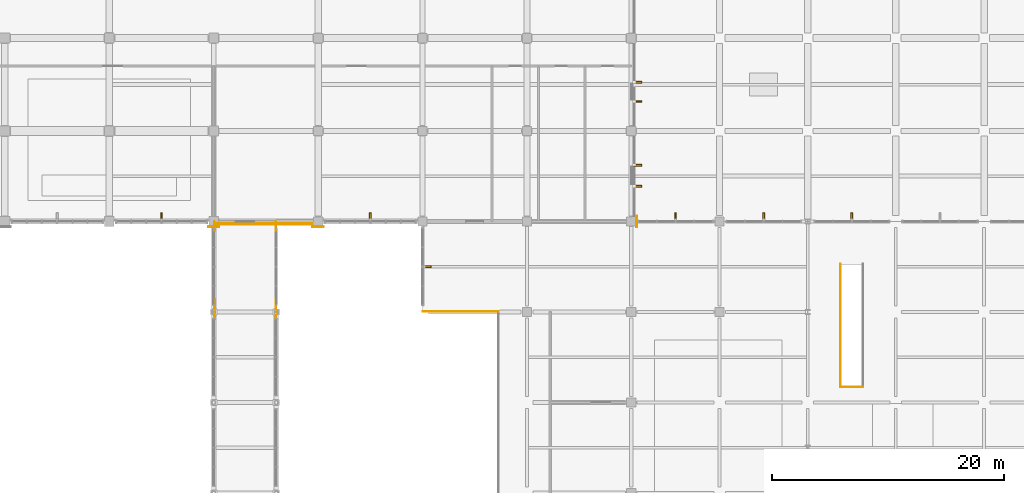
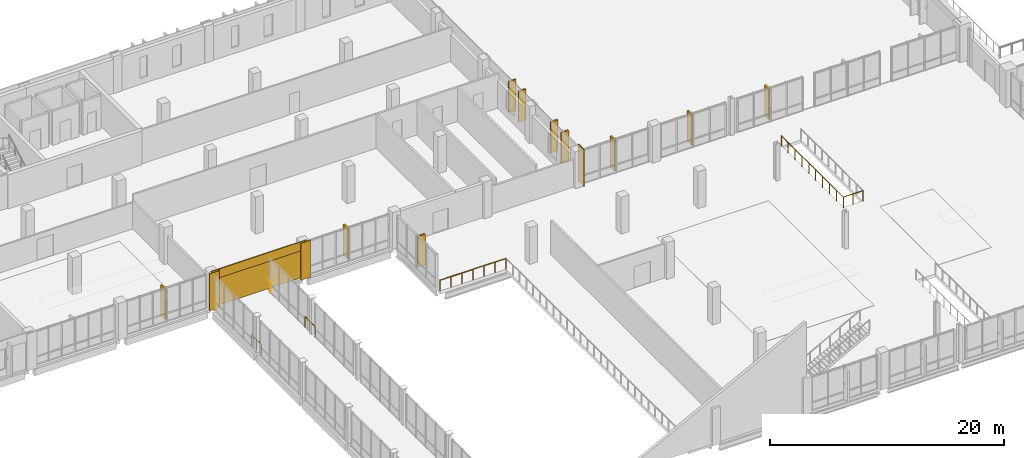
# One storey, part 81 of 85: 10 shading devices, 7 railings, 5 coverings.
"""IFC4 building model written with IfcOpenShell, lengths in metres."""

from ifc_helpers import new_model, si_unit, direction, frame, origin, origin_2d, place, context, subcontext, project, spatial, rectangle, circle, extrude, material, layer, layer_set, type_object, element, save


model = new_model("IFC4")

# Units and contexts
model_context = context("Model", 3, precision=1e-05, world=origin(), true_north=direction((0.0, 1.0)))
body_context = subcontext(model_context, "Body", "Model", "MODEL_VIEW")
ifc_project = project(units=[si_unit("LENGTHUNIT", "METRE"), si_unit("AREAUNIT", "SQUARE_METRE"), si_unit("VOLUMEUNIT", "CUBIC_METRE"), si_unit("PLANEANGLEUNIT", "RADIAN"), si_unit("MASSUNIT", "GRAM", prefix="KILO")], contexts=[model_context])

# Site, building, storey
site_placement = place(None, origin())
site = spatial("IfcSite", under=ifc_project, at=site_placement, CompositionType="ELEMENT")
building_placement = place(site_placement, origin())
building = spatial("IfcBuilding", under=site, at=building_placement, Name="Vervanel Yard Central Library", CompositionType="ELEMENT")
storey_placement = place(building_placement, frame((0.0, 0.0, 5.10009765625)))
storey = spatial("IfcBuildingStorey", under=building, at=storey_placement, Name="L01", CompositionType="ELEMENT", Elevation=5.10009765625)

# Coverings
ifc_material_1 = material(Name="Precast concrete C45/55", Category="concrete")
ifc_layer = layer(ifc_material_1, 0.0849609375, Category="concrete")
ifc_layer_set = layer_set([ifc_layer], Name="Precast concrete C45/55")
covering_type = type_object("IfcCoveringType", Name="Bush-Hammered Precast Architectural Cladding Panel", PredefinedType="CLADDING", material=ifc_layer_set)
covering_1_placement = place(storey_placement, frame((76.5, 81.949951171875, 2.93017578125), z_axis=(0.0, 0.0, 1.0), x_axis=(1.0, 0.0, 0.0)))
element("IfcCovering", 1, at=covering_1_placement, inside=storey, type_object=covering_type, Name="L01 Precast Concrete Spandrel Cornice EWALL-L01-0029", PredefinedType="CLADDING", context=body_context, shape_type="SweptSolid", body=[
    extrude(rectangle(XDim=9.449951171875, YDim=0.0849609375, at=origin_2d()), origin(), (0.0, 0.0, 1.0), 0.929931640625),
])
for number, where, z_axis, x_axis, name in (
    (2, (72.0, 81.732421875, 0.0), (0.0, 0.0, 1.0), (1.0, 0.0, 0.0), "L01 Precast Concrete Pier Pilaster EWALL-L01-0029-A"),
    (3, (81.0, 81.757568359375, 0.0), (0.0, 0.0, 1.0), (1.0, 0.0, 0.0), "L01 Precast Concrete Pier Pilaster EWALL-L01-0029-B"),
):
    element("IfcCovering", number, at=place(storey_placement, frame(where, z_axis=z_axis, x_axis=x_axis)), inside=storey, type_object=covering_type, Name=name, PredefinedType="CLADDING", context=body_context, shape_type="SweptSolid", body=[
        extrude(rectangle(XDim=0.97998046875, YDim=0.0849609375, at=origin_2d()), origin(), (0.0, 0.0, 1.0), 3.860107421875),
    ])
covering_2_placement = place(storey_placement, frame((76.5, 81.987548828125, 0.080078125), z_axis=(0.0, 0.0, 1.0), x_axis=(1.0, 0.0, 0.0)))
element("IfcCovering", 4, at=covering_2_placement, inside=storey, type_object=covering_type, Name="L01 Bush-Hammered Precast Cladding EWALL-L01-0029", PredefinedType="CLADDING", context=body_context, shape_type="SweptSolid", body=[
    extrude(rectangle(XDim=8.699951171875, YDim=0.0849609375, at=origin_2d()), origin(), (0.0, 0.0, 1.0), 3.389892578125),
])
covering_3_placement = place(storey_placement, frame((108.4423828125, 82.199951171875, 0.0), z_axis=(0.0, 0.0, 1.0), x_axis=(0.0, 1.0, 0.0)))
element("IfcCovering", 5, at=covering_3_placement, inside=storey, type_object=covering_type, Name="L01 Precast Concrete Pier Pilaster EWALL-L01-0031-A", PredefinedType="CLADDING", context=body_context, shape_type="SweptSolid", body=[
    extrude(rectangle(XDim=0.97998046875, YDim=0.0849609375, at=origin_2d()), origin(), (0.0, 0.0, 1.0), 3.860107421875),
])

# Railings
ifc_material_2 = material(Name="Brushed stainless steel AISI 316", Category="steel")
railing_type = type_object("IfcRailingType", Name="Glazed Atrium & Gallery Balustrade 1120", PredefinedType="BALUSTRADE", material=ifc_material_2)
railing_1_placement = place(storey_placement, frame((126.02001953125, 67.93994140625, 0.0)))
element("IfcRailing", 6, at=railing_1_placement, inside=storey, type_object=railing_type, Name="L01 Void Guard FST-02-L00-WELLGD S", PredefinedType="BALUSTRADE", context=body_context, shape_type="SweptSolid", body=[
    extrude(circle(Radius=0.02392578125, at=origin_2d()), frame((0.0, 0.0, 1.09619140625), z_axis=(1.0, 0.0, 0.0), x_axis=(0.0, 1.0, 0.0)), (0.0, 0.0, 1.0), 1.9599609375),
    extrude(circle(Radius=0.02099609375, at=origin_2d()), origin(), (0.0, 0.0, 1.0), 1.072021484375),
    extrude(circle(Radius=0.02099609375, at=origin_2d()), frame((0.97998046875, 0.0, 0.0)), (0.0, 0.0, 1.0), 1.072021484375),
    extrude(circle(Radius=0.02099609375, at=origin_2d()), frame((1.9599609375, 0.0, 0.0)), (0.0, 0.0, 1.0), 1.072021484375),
])
railing_2_placement = place(storey_placement, frame((126.02001953125, 78.52490234375, 0.0)))
element("IfcRailing", 7, at=railing_2_placement, inside=storey, type_object=railing_type, Name="L01 Void Guard FST-02-L00-WELLGD W", PredefinedType="BALUSTRADE", context=body_context, shape_type="SweptSolid", body=[
    extrude(circle(Radius=0.02392578125, at=origin_2d()), frame((0.0, 0.0, 1.09619140625), z_axis=(0.0, -1.0, 0.0), x_axis=(1.0, 0.0, 0.0)), (0.0, 0.0, 1.0), 10.5849609375),
    extrude(circle(Radius=0.02099609375, at=origin_2d()), origin(), (0.0, 0.0, 1.0), 1.072021484375),
    extrude(circle(Radius=0.02099609375, at=origin_2d()), frame((0.0, -1.176025390625, 0.0)), (0.0, 0.0, 1.0), 1.072021484375),
    extrude(circle(Radius=0.02099609375, at=origin_2d()), frame((0.0, -2.352294921875, 0.0)), (0.0, 0.0, 1.0), 1.072021484375),
    extrude(circle(Radius=0.02099609375, at=origin_2d()), frame((0.0, -3.5283203125, 0.0)), (0.0, 0.0, 1.0), 1.072021484375),
    extrude(circle(Radius=0.02099609375, at=origin_2d()), frame((0.0, -4.704345703125, 0.0)), (0.0, 0.0, 1.0), 1.072021484375),
    extrude(circle(Radius=0.02099609375, at=origin_2d()), frame((0.0, -5.880615234375, 0.0)), (0.0, 0.0, 1.0), 1.072021484375),
    extrude(circle(Radius=0.02099609375, at=origin_2d()), frame((0.0, -7.056640625, 0.0)), (0.0, 0.0, 1.0), 1.072021484375),
    extrude(circle(Radius=0.02099609375, at=origin_2d()), frame((0.0, -8.232666015625, 0.0)), (0.0, 0.0, 1.0), 1.072021484375),
    extrude(circle(Radius=0.02099609375, at=origin_2d()), frame((0.0, -9.408935546875, 0.0)), (0.0, 0.0, 1.0), 1.072021484375),
    extrude(circle(Radius=0.02099609375, at=origin_2d()), frame((0.0, -10.5849609375, 0.0)), (0.0, 0.0, 1.0), 1.072021484375),
])
for number, where, name in (
    (8, (77.35009765625, 81.39990234375, 0.0), "L01 Perimeter Gap Guard BRG-END-GD-2"),
    (9, (72.050048828125, 81.39990234375, 0.0), "L01 Perimeter Gap Guard BRG-END-GD-4"),
):
    element("IfcRailing", number, at=place(storey_placement, frame(where)), inside=storey, type_object=railing_type, Name=name, PredefinedType="BALUSTRADE", context=body_context, shape_type="SweptSolid", body=[
        extrude(circle(Radius=0.02392578125, at=origin_2d()), frame((0.0, 0.0, 1.09619140625), z_axis=(0.0, 1.0, 0.0), x_axis=(-1.0, 0.0, 0.0)), (0.0, 0.0, 1.0), 0.780029296875),
        extrude(circle(Radius=0.02099609375, at=origin_2d()), origin(), (0.0, 0.0, 1.0), 1.072021484375),
        extrude(circle(Radius=0.02099609375, at=origin_2d()), frame((0.0, 0.780029296875, 0.0)), (0.0, 0.0, 1.0), 1.072021484375),
    ])
for number, where, name in (
    (10, (77.35009765625, 73.800048828125, 0.0), "L01 Perimeter Gap Guard BRG-END-GD-5"),
    (11, (72.050048828125, 73.800048828125, 0.0), "L01 Perimeter Gap Guard BRG-END-GD-6"),
):
    element("IfcRailing", number, at=place(storey_placement, frame(where)), inside=storey, type_object=railing_type, Name=name, PredefinedType="BALUSTRADE", context=body_context, shape_type="SweptSolid", body=[
        extrude(circle(Radius=0.02392578125, at=origin_2d()), frame((0.0, 0.0, 1.09619140625), z_axis=(0.0, 1.0, 0.0), x_axis=(-1.0, 0.0, 0.0)), (0.0, 0.0, 1.0), 1.699951171875),
        extrude(circle(Radius=0.02099609375, at=origin_2d()), origin(), (0.0, 0.0, 1.0), 1.072021484375),
        extrude(circle(Radius=0.02099609375, at=origin_2d()), frame((0.0, 0.85009765625, 0.0)), (0.0, 0.0, 1.0), 1.072021484375),
        extrude(circle(Radius=0.02099609375, at=origin_2d()), frame((0.0, 1.699951171875, 0.0)), (0.0, 0.0, 1.0), 1.072021484375),
    ])
railing_3_placement = place(storey_placement, frame((90.050048828125, 74.449951171875, 0.0)))
element("IfcRailing", 12, at=railing_3_placement, inside=storey, type_object=railing_type, Name="L01 Perimeter Gap Guard V3-L01-STEP-S", PredefinedType="BALUSTRADE", context=body_context, shape_type="SweptSolid", body=[
    extrude(circle(Radius=0.02392578125, at=origin_2d()), frame((0.0, 0.0, 1.09619140625), z_axis=(1.0, 0.0, 0.0), x_axis=(0.0, 1.0, 0.0)), (0.0, 0.0, 1.0), 6.5),
    extrude(circle(Radius=0.02099609375, at=origin_2d()), origin(), (0.0, 0.0, 1.0), 1.072021484375),
    extrude(circle(Radius=0.02099609375, at=origin_2d()), frame((1.083251953125, 0.0, 0.0)), (0.0, 0.0, 1.0), 1.072021484375),
    extrude(circle(Radius=0.02099609375, at=origin_2d()), frame((2.166748046875, 0.0, 0.0)), (0.0, 0.0, 1.0), 1.072021484375),
    extrude(circle(Radius=0.02099609375, at=origin_2d()), frame((3.25, 0.0, 0.0)), (0.0, 0.0, 1.0), 1.072021484375),
    extrude(circle(Radius=0.02099609375, at=origin_2d()), frame((4.333251953125, 0.0, 0.0)), (0.0, 0.0, 1.0), 1.072021484375),
    extrude(circle(Radius=0.02099609375, at=origin_2d()), frame((5.416748046875, 0.0, 0.0)), (0.0, 0.0, 1.0), 1.072021484375),
    extrude(circle(Radius=0.02099609375, at=origin_2d()), frame((6.5, 0.0, 0.0)), (0.0, 0.0, 1.0), 1.072021484375),
])

# Shading devices
shading_device_type = type_object("IfcShadingDeviceType", Name="Vertical Precast Solar Fin 160x720x3200", PredefinedType="JALOUSIE", material=ifc_material_1)
for number, where, z_axis, x_axis, name in (
    (13, (67.5, 82.610107421875, 0.1650390625), (0.0, 0.0, 1.0), (1.0, 0.0, 0.0), "L01 Precast Solar Fin 80"),
    (14, (85.5, 82.610107421875, 0.1650390625), (0.0, 0.0, 1.0), (1.0, 0.0, 0.0), "L01 Precast Solar Fin 81"),
    (15, (108.550048828125, 85.239990234375, 0.39990234375), (0.0, 0.0, 1.0), (0.0, 1.0, 0.0), "L01 Precast Solar Fin 88"),
    (16, (108.550048828125, 87.06005859375, 0.39990234375), (0.0, 0.0, 1.0), (0.0, 1.0, 0.0), "L01 Precast Solar Fin 89"),
    (17, (108.550048828125, 92.5400390625, 0.27490234375), (0.0, 0.0, 1.0), (0.0, 1.0, 0.0), "L01 Precast Solar Fin 90"),
    (18, (108.550048828125, 94.2099609375, 0.27490234375), (0.0, 0.0, 1.0), (0.0, 1.0, 0.0), "L01 Precast Solar Fin 91"),
    (19, (90.409912109375, 78.300048828125, 0.1650390625), (0.0, 0.0, 1.0), (0.0, 1.0, 0.0), "L01 Precast Solar Fin 438"),
    (20, (111.800048828125, 82.610107421875, 0.1650390625), (0.0, 0.0, 1.0), (1.0, 0.0, 0.0), "L01 Precast Solar Fin 466"),
    (21, (119.39990234375, 82.610107421875, 0.1650390625), (0.0, 0.0, 1.0), (1.0, 0.0, 0.0), "L01 Precast Solar Fin 467"),
    (22, (127.0, 82.610107421875, 0.1650390625), (0.0, 0.0, 1.0), (1.0, 0.0, 0.0), "L01 Precast Solar Fin 468"),
):
    element("IfcShadingDevice", number, at=place(storey_placement, frame(where, z_axis=z_axis, x_axis=x_axis)), inside=storey, type_object=shading_device_type, Name=name, PredefinedType="JALOUSIE", context=body_context, shape_type="SweptSolid", body=[
        extrude(rectangle(XDim=0.159912109375, YDim=0.719970703125, at=origin_2d()), origin(), (0.0, 0.0, 1.0), 3.199951171875),
    ])

save(model, "model.ifc")
